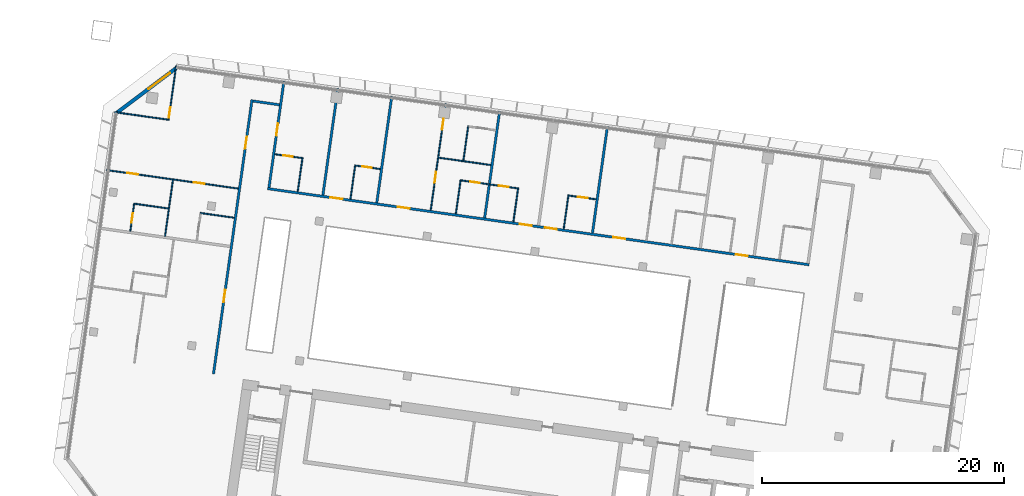
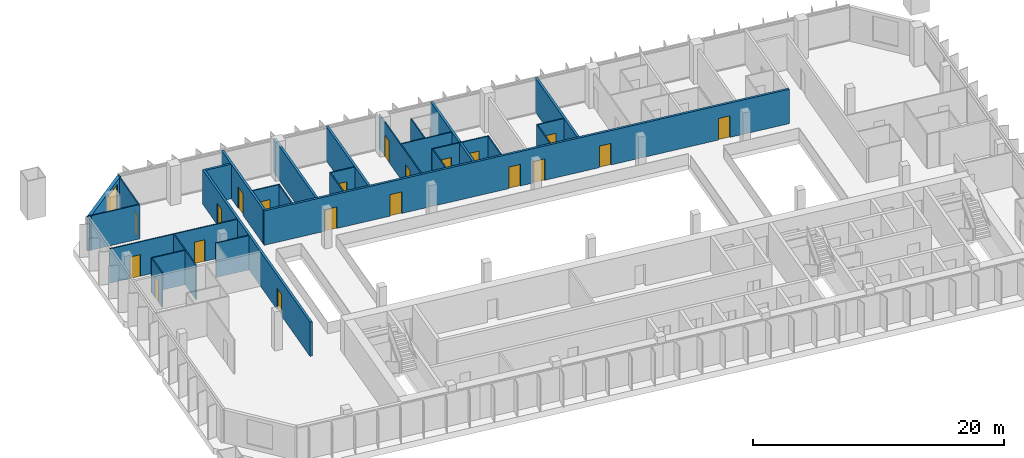
# One storey, part 16 of 26: 28 walls, 20 doors, 1 window, 21 openings.
"""IFC4 building model written with IfcOpenShell, lengths in metres."""

from ifc_helpers import new_model, si_unit, direction, frame, frame_2d, origin, place, context, subcontext, project, spatial, rectangle, extrude, material, layer, layer_set, type_object, element, fill, save


model = new_model("IFC4")

# Units and contexts
model_context = context("Model", 3, precision=1e-05, world=origin(), true_north=direction((0.0, 1.0)))
body_context = subcontext(model_context, "Body", "Model", "MODEL_VIEW")
ifc_project = project(units=[si_unit("LENGTHUNIT", "METRE"), si_unit("AREAUNIT", "SQUARE_METRE"), si_unit("VOLUMEUNIT", "CUBIC_METRE"), si_unit("PLANEANGLEUNIT", "RADIAN"), si_unit("MASSUNIT", "GRAM", prefix="KILO")], contexts=[model_context])

# Site, building, storey
site_placement = place(None, origin())
site = spatial("IfcSite", under=ifc_project, at=site_placement, CompositionType="ELEMENT")
building_placement = place(site_placement, origin())
building = spatial("IfcBuilding", under=site, at=building_placement, Name="Mirante Cascada Hotel Towers", CompositionType="ELEMENT")
storey_placement = place(building_placement, frame((0.0, 0.0, 140.5)))
storey = spatial("IfcBuildingStorey", under=building, at=storey_placement, Name="L32", CompositionType="ELEMENT", Elevation=140.5)

# Wall, openings, doors
ifc_material_1 = material(Name="Fire-rated plasterboard on metal studs")
ifc_layer_1 = layer(ifc_material_1, 0.2)
ifc_layer_set_1 = layer_set([ifc_layer_1], Name="Compartment wall 200 EI 120")
wall_type_1 = type_object("IfcWallType", Name="Compartment wall 200 EI 120", PredefinedType="PARTITIONING", material=ifc_layer_set_1)
wall_1_placement = place(storey_placement, frame((-86.638, 16.0582, 0.0), z_axis=(0.0, 0.0, 1.0), x_axis=(0.9902681, -0.1391726, 0.0)))
wall_1 = element("IfcWall", 1, at=wall_1_placement, inside=storey, type_object=wall_type_1, Name="Wall 1-L32-16", PredefinedType="PARTITIONING", context=body_context, shape_type="SweptSolid", body=[
    extrude(rectangle(XDim=45.2, YDim=0.2, at=frame_2d((22.6, 0.0))), origin(), (0.0, 0.0, 1.0), 3.35),
])
opening_1_placement = place(wall_1_placement, frame((39.0938, 0.0, 0.0)))
opening_1 = element("IfcOpeningElement", 2, at=opening_1_placement, cuts=wall_1, Name="Opening D1-L32-06", PredefinedType="OPENING", context=body_context, shape_type="SweptSolid", body=[
    extrude(rectangle(XDim=1.0, YDim=2.1, at=frame_2d((0.5, 1.05))), frame((0.0, 0.1, 0.0), z_axis=(0.0, -1.0, 0.0), x_axis=(1.0, 0.0, 0.0)), (0.0, 0.0, 1.0), 0.2),
])
opening_2_placement = place(wall_1_placement, frame((28.85, 0.0, 0.0)))
opening_2 = element("IfcOpeningElement", 3, at=opening_2_placement, cuts=wall_1, Name="Opening D1-L32-07", PredefinedType="OPENING", context=body_context, shape_type="SweptSolid", body=[
    extrude(rectangle(XDim=1.0, YDim=2.1, at=frame_2d((0.5, 1.05))), frame((0.0, 0.1, 0.0), z_axis=(0.0, -1.0, 0.0), x_axis=(1.0, 0.0, 0.0)), (0.0, 0.0, 1.0), 0.2),
])
opening_3_placement = place(wall_1_placement, frame((23.15, 0.0, 0.0)))
opening_3 = element("IfcOpeningElement", 4, at=opening_3_placement, cuts=wall_1, Name="Opening D1-L32-08", PredefinedType="OPENING", context=body_context, shape_type="SweptSolid", body=[
    extrude(rectangle(XDim=1.0, YDim=2.1, at=frame_2d((0.5, 1.05))), frame((0.0, 0.1, 0.0), z_axis=(0.0, -1.0, 0.0), x_axis=(1.0, 0.0, 0.0)), (0.0, 0.0, 1.0), 0.2),
])
opening_4_placement = place(wall_1_placement, frame((21.05, 0.0, 0.0)))
opening_4 = element("IfcOpeningElement", 5, at=opening_4_placement, cuts=wall_1, Name="Opening D1-L32-09", PredefinedType="OPENING", context=body_context, shape_type="SweptSolid", body=[
    extrude(rectangle(XDim=1.0, YDim=2.1, at=frame_2d((0.5, 1.05))), frame((0.0, 0.1, 0.0), z_axis=(0.0, -1.0, 0.0), x_axis=(1.0, 0.0, 0.0)), (0.0, 0.0, 1.0), 0.2),
])
opening_5_placement = place(wall_1_placement, frame((10.85, 0.0, 0.0)))
opening_5 = element("IfcOpeningElement", 6, at=opening_5_placement, cuts=wall_1, Name="Opening D1-L32-10", PredefinedType="OPENING", context=body_context, shape_type="SweptSolid", body=[
    extrude(rectangle(XDim=1.0, YDim=2.1, at=frame_2d((0.5, 1.05))), frame((0.0, 0.1, 0.0), z_axis=(0.0, -1.0, 0.0), x_axis=(1.0, 0.0, 0.0)), (0.0, 0.0, 1.0), 0.2),
])
opening_6_placement = place(wall_1_placement, frame((5.25, 0.0, 0.0)))
opening_6 = element("IfcOpeningElement", 7, at=opening_6_placement, cuts=wall_1, Name="Opening D1-L32-11", PredefinedType="OPENING", context=body_context, shape_type="SweptSolid", body=[
    extrude(rectangle(XDim=1.0, YDim=2.1, at=frame_2d((0.5, 1.05))), frame((0.0, 0.1, 0.0), z_axis=(0.0, -1.0, 0.0), x_axis=(1.0, 0.0, 0.0)), (0.0, 0.0, 1.0), 0.2),
])
ifc_material_2 = material(Name="Fire-rated timber door leaf", Category="wood")
door_type_1 = type_object("IfcDoorType", Name="Entrance door DG1 1000x2100 EI 60", OperationType="SINGLE_SWING_LEFT", PredefinedType="DOOR", material=ifc_material_2)
door_1_placement = place(opening_1_placement, origin())
door_1 = element("IfcDoor", 8, at=door_1_placement, inside=storey, type_object=door_type_1, Name="Door D1-L32-06", OperationType="SINGLE_SWING_LEFT", OverallHeight=2.1, OverallWidth=1.0, PredefinedType="DOOR", context=body_context, shape_type="SweptSolid", body=[
    extrude(rectangle(XDim=1.0, YDim=2.1, at=frame_2d((0.5, 1.05))), frame((0.0, 0.025, 0.0), z_axis=(0.0, -1.0, 0.0), x_axis=(1.0, 0.0, 0.0)), (0.0, 0.0, 1.0), 0.05),
])
fill(opening_1, door_1)
door_2_placement = place(opening_2_placement, origin())
door_2 = element("IfcDoor", 9, at=door_2_placement, inside=storey, type_object=door_type_1, Name="Door D1-L32-07", OperationType="SINGLE_SWING_LEFT", OverallHeight=2.1, OverallWidth=1.0, PredefinedType="DOOR", context=body_context, shape_type="SweptSolid", body=[
    extrude(rectangle(XDim=1.0, YDim=2.1, at=frame_2d((0.5, 1.05))), frame((0.0, 0.025, 0.0), z_axis=(0.0, -1.0, 0.0), x_axis=(1.0, 0.0, 0.0)), (0.0, 0.0, 1.0), 0.05),
])
fill(opening_2, door_2)
door_3_placement = place(opening_3_placement, origin())
door_3 = element("IfcDoor", 10, at=door_3_placement, inside=storey, type_object=door_type_1, Name="Door D1-L32-08", OperationType="SINGLE_SWING_LEFT", OverallHeight=2.1, OverallWidth=1.0, PredefinedType="DOOR", context=body_context, shape_type="SweptSolid", body=[
    extrude(rectangle(XDim=1.0, YDim=2.1, at=frame_2d((0.5, 1.05))), frame((0.0, 0.025, 0.0), z_axis=(0.0, -1.0, 0.0), x_axis=(1.0, 0.0, 0.0)), (0.0, 0.0, 1.0), 0.05),
])
fill(opening_3, door_3)
door_4_placement = place(opening_4_placement, origin())
door_4 = element("IfcDoor", 11, at=door_4_placement, inside=storey, type_object=door_type_1, Name="Door D1-L32-09", OperationType="SINGLE_SWING_LEFT", OverallHeight=2.1, OverallWidth=1.0, PredefinedType="DOOR", context=body_context, shape_type="SweptSolid", body=[
    extrude(rectangle(XDim=1.0, YDim=2.1, at=frame_2d((0.5, 1.05))), frame((0.0, 0.025, 0.0), z_axis=(0.0, -1.0, 0.0), x_axis=(1.0, 0.0, 0.0)), (0.0, 0.0, 1.0), 0.05),
])
fill(opening_4, door_4)
door_5_placement = place(opening_5_placement, origin())
door_5 = element("IfcDoor", 12, at=door_5_placement, inside=storey, type_object=door_type_1, Name="Door D1-L32-10", OperationType="SINGLE_SWING_LEFT", OverallHeight=2.1, OverallWidth=1.0, PredefinedType="DOOR", context=body_context, shape_type="SweptSolid", body=[
    extrude(rectangle(XDim=1.0, YDim=2.1, at=frame_2d((0.5, 1.05))), frame((0.0, 0.025, 0.0), z_axis=(0.0, -1.0, 0.0), x_axis=(1.0, 0.0, 0.0)), (0.0, 0.0, 1.0), 0.05),
])
fill(opening_5, door_5)
door_6_placement = place(opening_6_placement, origin())
door_6 = element("IfcDoor", 13, at=door_6_placement, inside=storey, type_object=door_type_1, Name="Door D1-L32-11", OperationType="SINGLE_SWING_LEFT", OverallHeight=2.1, OverallWidth=1.0, PredefinedType="DOOR", context=body_context, shape_type="SweptSolid", body=[
    extrude(rectangle(XDim=1.0, YDim=2.1, at=frame_2d((0.5, 1.05))), frame((0.0, 0.025, 0.0), z_axis=(0.0, -1.0, 0.0), x_axis=(1.0, 0.0, 0.0)), (0.0, 0.0, 1.0), 0.05),
])
fill(opening_6, door_6)

# Walls
wall_2_placement = place(storey_placement, frame((-85.6638, 22.9901, 0.0), z_axis=(0.0, 0.0, 1.0), x_axis=(-0.990267, 0.139181, 0.0)))
element("IfcWall", 14, at=wall_2_placement, inside=storey, type_object=wall_type_1, Name="Wall 1-L32-27", PredefinedType="PARTITIONING", context=body_context, shape_type="SweptSolid", body=[
    extrude(rectangle(XDim=2.2, YDim=0.2, at=frame_2d((1.1, 0.0))), origin(), (0.0, 0.0, 1.0), 3.35),
])
wall_3_placement = place(storey_placement, frame((-58.5492, 21.199, 0.0), z_axis=(0.0, 0.0, 1.0), x_axis=(-0.13917, -0.9902685, 0.0)))
element("IfcWall", 15, at=wall_3_placement, inside=storey, type_object=wall_type_1, Name="Wall 1-L32-44", PredefinedType="PARTITIONING", context=body_context, shape_type="SweptSolid", body=[
    extrude(rectangle(XDim=8.8999, YDim=0.2, at=frame_2d((4.45, 0.0))), origin(), (0.0, 0.0, 1.0), 3.35),
])
for number, where, z_axis, x_axis, name in (
    (16, (-67.4616, 22.4516, 0.0), (0.0, 0.0, 1.0), (-0.1391684, -0.9902687, 0.0), "Wall 1-L32-48"),
    (17, (-76.374, 23.7042, 0.0), (0.0, 0.0, 1.0), (-0.1391684, -0.9902687, 0.0), "Wall 1-L32-52"),
):
    element("IfcWall", number, at=place(storey_placement, frame(where, z_axis=z_axis, x_axis=x_axis)), inside=storey, type_object=wall_type_1, Name=name, PredefinedType="PARTITIONING", context=body_context, shape_type="SweptSolid", body=[
        extrude(rectangle(XDim=8.9, YDim=0.2, at=frame_2d((4.45, 0.0))), origin(), (0.0, 0.0, 1.0), 3.35),
    ])
wall_4_placement = place(storey_placement, frame((-80.8302, 24.3304, 0.0), z_axis=(0.0, 0.0, 1.0), x_axis=(-0.13917, -0.9902685, 0.0)))
element("IfcWall", 18, at=wall_4_placement, inside=storey, type_object=wall_type_1, Name="Wall 1-L32-54", PredefinedType="PARTITIONING", context=body_context, shape_type="SweptSolid", body=[
    extrude(rectangle(XDim=8.8999, YDim=0.2, at=frame_2d((4.45, 0.0))), origin(), (0.0, 0.0, 1.0), 3.35),
])

# Wall, opening, door
wall_5_placement = place(storey_placement, frame((-85.2864, 24.9567, 0.0), z_axis=(0.0, 0.0, 1.0), x_axis=(-0.1391684, -0.9902687, 0.0)))
wall_5 = element("IfcWall", 19, at=wall_5_placement, inside=storey, type_object=wall_type_1, Name="Wall 1-L32-56", PredefinedType="PARTITIONING", context=body_context, shape_type="SweptSolid", body=[
    extrude(rectangle(XDim=8.9, YDim=0.2, at=frame_2d((4.45, 0.0))), origin(), (0.0, 0.0, 1.0), 3.35),
])
opening_7_placement = place(wall_5_placement, frame((3.55, 0.0, 0.0)))
opening_7 = element("IfcOpeningElement", 20, at=opening_7_placement, cuts=wall_5, Name="Opening D1-L32-32", PredefinedType="OPENING", context=body_context, shape_type="SweptSolid", body=[
    extrude(rectangle(XDim=1.0, YDim=2.1, at=frame_2d((0.5, 1.05))), frame((0.0, 0.1, 0.0), z_axis=(0.0, -1.0, 0.0), x_axis=(1.0, 0.0, 0.0)), (0.0, 0.0, 1.0), 0.2),
])
door_7_placement = place(opening_7_placement, origin())
door_7 = element("IfcDoor", 21, at=door_7_placement, inside=storey, type_object=door_type_1, Name="Door D1-L32-32", OperationType="SINGLE_SWING_LEFT", OverallHeight=2.1, OverallWidth=1.0, PredefinedType="DOOR", context=body_context, shape_type="SweptSolid", body=[
    extrude(rectangle(XDim=1.0, YDim=2.1, at=frame_2d((0.5, 1.05))), frame((0.0, 0.025, 0.0), z_axis=(0.0, -1.0, 0.0), x_axis=(1.0, 0.0, 0.0)), (0.0, 0.0, 1.0), 0.05),
])
fill(opening_7, door_7)

# Wall, openings, doors
wall_6_placement = place(storey_placement, frame((-91.1145, 0.7321, 0.0), z_axis=(0.0, 0.0, 1.0), x_axis=(0.1391706, 0.9902684, 0.0)))
wall_6 = element("IfcWall", 22, at=wall_6_placement, inside=storey, type_object=wall_type_1, Name="Wall 1-L32-57", PredefinedType="PARTITIONING", context=body_context, shape_type="SweptSolid", body=[
    extrude(rectangle(XDim=22.9, YDim=0.2, at=frame_2d((11.45, 0.0))), origin(), (0.0, 0.0, 1.0), 3.35),
])
opening_8_placement = place(wall_6_placement, frame((6.0167, 0.0, 0.0)))
opening_8 = element("IfcOpeningElement", 23, at=opening_8_placement, cuts=wall_6, Name="Opening D1-L32-33", PredefinedType="OPENING", context=body_context, shape_type="SweptSolid", body=[
    extrude(rectangle(XDim=1.0, YDim=2.1, at=frame_2d((0.5, 1.05))), frame((0.0, 0.1, 0.0), z_axis=(0.0, -1.0, 0.0), x_axis=(1.0, 0.0, 0.0)), (0.0, 0.0, 1.0), 0.2),
])
opening_9_placement = place(wall_6_placement, frame((18.8, 0.0, 0.0)))
opening_9 = element("IfcOpeningElement", 24, at=opening_9_placement, cuts=wall_6, Name="Opening D1-L32-34", PredefinedType="OPENING", context=body_context, shape_type="SweptSolid", body=[
    extrude(rectangle(XDim=1.0, YDim=2.1, at=frame_2d((0.5, 1.05))), frame((0.0, 0.1, 0.0), z_axis=(0.0, -1.0, 0.0), x_axis=(1.0, 0.0, 0.0)), (0.0, 0.0, 1.0), 0.2),
])
door_8_placement = place(opening_8_placement, origin())
door_8 = element("IfcDoor", 25, at=door_8_placement, inside=storey, type_object=door_type_1, Name="Door D1-L32-33", OperationType="SINGLE_SWING_LEFT", OverallHeight=2.1, OverallWidth=1.0, PredefinedType="DOOR", context=body_context, shape_type="SweptSolid", body=[
    extrude(rectangle(XDim=1.0, YDim=2.1, at=frame_2d((0.5, 1.05))), frame((0.0, 0.025, 0.0), z_axis=(0.0, -1.0, 0.0), x_axis=(1.0, 0.0, 0.0)), (0.0, 0.0, 1.0), 0.05),
])
fill(opening_8, door_8)
door_9_placement = place(opening_9_placement, origin())
door_9 = element("IfcDoor", 26, at=door_9_placement, inside=storey, type_object=door_type_1, Name="Door D1-L32-34", OperationType="SINGLE_SWING_LEFT", OverallHeight=2.1, OverallWidth=1.0, PredefinedType="DOOR", context=body_context, shape_type="SweptSolid", body=[
    extrude(rectangle(XDim=1.0, YDim=2.1, at=frame_2d((0.5, 1.05))), frame((0.0, 0.025, 0.0), z_axis=(0.0, -1.0, 0.0), x_axis=(1.0, 0.0, 0.0)), (0.0, 0.0, 1.0), 0.05),
])
fill(opening_9, door_9)

# Walls
ifc_material_3 = material(Name="Plasterboard on metal studs")
ifc_layer_2 = layer(ifc_material_3, 0.1)
ifc_layer_set_2 = layer_set([ifc_layer_2], Name="Partition 100")
wall_type_2 = type_object("IfcWallType", Name="Partition 100", PredefinedType="PARTITIONING", material=ifc_layer_set_2)
wall_7_placement = place(storey_placement, frame((-89.3997, 13.6525, 0.0), z_axis=(0.0, 0.0, 1.0), x_axis=(-0.9902697, 0.1391613, 0.0)))
element("IfcWall", 27, at=wall_7_placement, inside=storey, type_object=wall_type_2, Name="Wall 1-L32-13", PredefinedType="PARTITIONING", context=body_context, shape_type="SweptSolid", body=[
    extrude(rectangle(XDim=2.8499, YDim=0.1, at=frame_2d((1.425, 0.0))), origin(), (0.0, 0.0, 1.0), 3.35),
])
wall_8_placement = place(storey_placement, frame((-97.7179, 14.8215, 0.0), z_axis=(0.0, 0.0, 1.0), x_axis=(0.9902683, -0.1391714, 0.0)))
element("IfcWall", 28, at=wall_8_placement, inside=storey, type_object=wall_type_2, Name="Wall 1-L32-14", PredefinedType="PARTITIONING", context=body_context, shape_type="SweptSolid", body=[
    extrude(rectangle(XDim=2.9, YDim=0.1, at=frame_2d((1.45, 0.0))), origin(), (0.0, 0.0, 1.0), 3.35),
])

# Wall, openings, doors
wall_9_placement = place(storey_placement, frame((-89.061, 16.0622, 0.0), z_axis=(0.0, 0.0, 1.0), x_axis=(-0.9902682, 0.1391721, 0.0)))
wall_9 = element("IfcWall", 29, at=wall_9_placement, inside=storey, type_object=wall_type_2, Name="Wall 1-L32-15", PredefinedType="PARTITIONING", context=body_context, shape_type="SweptSolid", body=[
    extrude(rectangle(XDim=11.0001, YDim=0.1, at=frame_2d((5.5, 0.0))), origin(), (0.0, 0.0, 1.0), 3.35),
])
opening_10_placement = place(wall_9_placement, frame((2.825, 0.0, 0.0)))
opening_10 = element("IfcOpeningElement", 30, at=opening_10_placement, cuts=wall_9, Name="Opening D1-L32-04", PredefinedType="OPENING", context=body_context, shape_type="SweptSolid", body=[
    extrude(rectangle(XDim=0.9, YDim=2.1, at=frame_2d((0.45, 1.05))), frame((0.0, 0.05, 0.0), z_axis=(0.0, -1.0, 0.0), x_axis=(1.0, 0.0, 0.0)), (0.0, 0.0, 1.0), 0.1),
])
opening_11_placement = place(wall_9_placement, frame((8.375, 0.0, 0.0)))
opening_11 = element("IfcOpeningElement", 31, at=opening_11_placement, cuts=wall_9, Name="Opening D1-L32-05", PredefinedType="OPENING", context=body_context, shape_type="SweptSolid", body=[
    extrude(rectangle(XDim=0.9, YDim=2.1, at=frame_2d((0.45, 1.05))), frame((0.0, 0.05, 0.0), z_axis=(0.0, -1.0, 0.0), x_axis=(1.0, 0.0, 0.0)), (0.0, 0.0, 1.0), 0.1),
])
ifc_material_4 = material(Name="Timber door leaf", Category="wood")
door_type_2 = type_object("IfcDoorType", Name="Room door DG3 900x2100", OperationType="SINGLE_SWING_LEFT", PredefinedType="DOOR", material=ifc_material_4)
door_10_placement = place(opening_10_placement, frame((0.9, 0.0, 0.0), z_axis=(0.0, 0.0, 1.0), x_axis=(-1.0, 0.0, 0.0)))
door_10 = element("IfcDoor", 32, at=door_10_placement, inside=storey, type_object=door_type_2, Name="Door D1-L32-04", OperationType="SINGLE_SWING_RIGHT", OverallHeight=2.1, OverallWidth=0.9, PredefinedType="DOOR", context=body_context, shape_type="SweptSolid", body=[
    extrude(rectangle(XDim=0.9, YDim=2.1, at=frame_2d((0.45, 1.05))), frame((0.0, 0.025, 0.0), z_axis=(0.0, -1.0, 0.0), x_axis=(1.0, 0.0, 0.0)), (0.0, 0.0, 1.0), 0.05),
])
fill(opening_10, door_10)
door_11_placement = place(opening_11_placement, frame((0.9, 0.0, 0.0), z_axis=(0.0, 0.0, 1.0), x_axis=(-1.0, 0.0, 0.0)))
door_11 = element("IfcDoor", 33, at=door_11_placement, inside=storey, type_object=door_type_2, Name="Door D1-L32-05", OperationType="SINGLE_SWING_RIGHT", OverallHeight=2.1, OverallWidth=0.9, PredefinedType="DOOR", context=body_context, shape_type="SweptSolid", body=[
    extrude(rectangle(XDim=0.9, YDim=2.1, at=frame_2d((0.45, 1.05))), frame((0.0, 0.025, 0.0), z_axis=(0.0, -1.0, 0.0), x_axis=(1.0, 0.0, 0.0)), (0.0, 0.0, 1.0), 0.05),
])
fill(opening_11, door_11)

# Wall, opening, door
wall_10_placement = place(storey_placement, frame((-59.4971, 15.1723, 0.0), z_axis=(0.0, 0.0, 1.0), x_axis=(-0.9902643, 0.1391997, 0.0)))
wall_10 = element("IfcWall", 34, at=wall_10_placement, inside=storey, type_object=wall_type_2, Name="Wall 1-L32-19", PredefinedType="PARTITIONING", context=body_context, shape_type="SweptSolid", body=[
    extrude(rectangle(XDim=2.25, YDim=0.1, at=frame_2d((1.125, 0.0))), origin(), (0.0, 0.0, 1.0), 3.35),
])
opening_12_placement = place(wall_10_placement, frame((0.7, 0.0, 0.0)))
opening_12 = element("IfcOpeningElement", 35, at=opening_12_placement, cuts=wall_10, Name="Opening D1-L32-15", PredefinedType="OPENING", context=body_context, shape_type="SweptSolid", body=[
    extrude(rectangle(XDim=0.8, YDim=2.1, at=frame_2d((0.4, 1.05))), frame((0.0, 0.05, 0.0), z_axis=(0.0, -1.0, 0.0), x_axis=(1.0, 0.0, 0.0)), (0.0, 0.0, 1.0), 0.1),
])
ifc_material_5 = material(Name="Timber door leaf", Category="wood")
door_type_3 = type_object("IfcDoorType", Name="Bathroom door DG4 800x2100", OperationType="SINGLE_SWING_LEFT", PredefinedType="DOOR", material=ifc_material_5)
door_12_placement = place(opening_12_placement, frame((0.8, 0.0, 0.0), z_axis=(0.0, 0.0, 1.0), x_axis=(-1.0, 0.0, 0.0)))
door_12 = element("IfcDoor", 36, at=door_12_placement, inside=storey, type_object=door_type_3, Name="Door D1-L32-15", OperationType="SINGLE_SWING_RIGHT", OverallHeight=2.1, OverallWidth=0.8, PredefinedType="DOOR", context=body_context, shape_type="SweptSolid", body=[
    extrude(rectangle(XDim=0.8, YDim=2.1, at=frame_2d((0.4, 1.05))), frame((0.0, 0.025, 0.0), z_axis=(0.0, -1.0, 0.0), x_axis=(1.0, 0.0, 0.0)), (0.0, 0.0, 1.0), 0.05),
])
fill(opening_12, door_12)

# Wall, openings, doors
wall_11_placement = place(storey_placement, frame((-70.7367, 16.7519, 0.0), z_axis=(0.0, 0.0, 1.0), x_axis=(0.9902694, -0.1391638, 0.0)))
wall_11 = element("IfcWall", 37, at=wall_11_placement, inside=storey, type_object=wall_type_2, Name="Wall 1-L32-20", PredefinedType="PARTITIONING", context=body_context, shape_type="SweptSolid", body=[
    extrude(rectangle(XDim=4.9, YDim=0.1, at=frame_2d((2.45, 0.0))), origin(), (0.0, 0.0, 1.0), 3.35),
])
opening_13_placement = place(wall_11_placement, frame((3.25, 0.0, 0.0)))
opening_13 = element("IfcOpeningElement", 38, at=opening_13_placement, cuts=wall_11, Name="Opening D1-L32-16", PredefinedType="OPENING", context=body_context, shape_type="SweptSolid", body=[
    extrude(rectangle(XDim=0.8, YDim=2.1, at=frame_2d((0.4, 1.05))), frame((0.0, 0.05, 0.0), z_axis=(0.0, -1.0, 0.0), x_axis=(1.0, 0.0, 0.0)), (0.0, 0.0, 1.0), 0.1),
])
opening_14_placement = place(wall_11_placement, frame((0.85, 0.0, 0.0)))
opening_14 = element("IfcOpeningElement", 39, at=opening_14_placement, cuts=wall_11, Name="Opening D1-L32-17", PredefinedType="OPENING", context=body_context, shape_type="SweptSolid", body=[
    extrude(rectangle(XDim=0.8, YDim=2.1, at=frame_2d((0.4, 1.05))), frame((0.0, 0.05, 0.0), z_axis=(0.0, -1.0, 0.0), x_axis=(1.0, 0.0, 0.0)), (0.0, 0.0, 1.0), 0.1),
])
door_13_placement = place(opening_13_placement, origin())
door_13 = element("IfcDoor", 40, at=door_13_placement, inside=storey, type_object=door_type_3, Name="Door D1-L32-16", OperationType="SINGLE_SWING_LEFT", OverallHeight=2.1, OverallWidth=0.8, PredefinedType="DOOR", context=body_context, shape_type="SweptSolid", body=[
    extrude(rectangle(XDim=0.8, YDim=2.1, at=frame_2d((0.4, 1.05))), frame((0.0, 0.025, 0.0), z_axis=(0.0, -1.0, 0.0), x_axis=(1.0, 0.0, 0.0)), (0.0, 0.0, 1.0), 0.05),
])
fill(opening_13, door_13)
door_14_placement = place(opening_14_placement, frame((0.8, 0.0, 0.0), z_axis=(0.0, 0.0, 1.0), x_axis=(-1.0, 0.0, 0.0)))
door_14 = element("IfcDoor", 41, at=door_14_placement, inside=storey, type_object=door_type_3, Name="Door D1-L32-17", OperationType="SINGLE_SWING_RIGHT", OverallHeight=2.1, OverallWidth=0.8, PredefinedType="DOOR", context=body_context, shape_type="SweptSolid", body=[
    extrude(rectangle(XDim=0.8, YDim=2.1, at=frame_2d((0.4, 1.05))), frame((0.0, 0.025, 0.0), z_axis=(0.0, -1.0, 0.0), x_axis=(1.0, 0.0, 0.0)), (0.0, 0.0, 1.0), 0.05),
])
fill(opening_14, door_14)

# Wall, opening, door
wall_12_placement = place(storey_placement, frame((-77.322, 17.6774, 0.0), z_axis=(0.0, 0.0, 1.0), x_axis=(-0.9902679, 0.1391741, 0.0)))
wall_12 = element("IfcWall", 42, at=wall_12_placement, inside=storey, type_object=wall_type_2, Name="Wall 1-L32-21", PredefinedType="PARTITIONING", context=body_context, shape_type="SweptSolid", body=[
    extrude(rectangle(XDim=2.05, YDim=0.1, at=frame_2d((1.025, 0.0))), origin(), (0.0, 0.0, 1.0), 3.35),
])
opening_15_placement = place(wall_12_placement, frame((0.7, 0.0, 0.0)))
opening_15 = element("IfcOpeningElement", 43, at=opening_15_placement, cuts=wall_12, Name="Opening D1-L32-18", PredefinedType="OPENING", context=body_context, shape_type="SweptSolid", body=[
    extrude(rectangle(XDim=0.8, YDim=2.1, at=frame_2d((0.4, 1.05))), frame((0.0, 0.05, 0.0), z_axis=(0.0, -1.0, 0.0), x_axis=(1.0, 0.0, 0.0)), (0.0, 0.0, 1.0), 0.1),
])
door_15_placement = place(opening_15_placement, frame((0.8, 0.0, 0.0), z_axis=(0.0, 0.0, 1.0), x_axis=(-1.0, 0.0, 0.0)))
door_15 = element("IfcDoor", 44, at=door_15_placement, inside=storey, type_object=door_type_3, Name="Door D1-L32-18", OperationType="SINGLE_SWING_RIGHT", OverallHeight=2.1, OverallWidth=0.8, PredefinedType="DOOR", context=body_context, shape_type="SweptSolid", body=[
    extrude(rectangle(XDim=0.8, YDim=2.1, at=frame_2d((0.4, 1.05))), frame((0.0, 0.025, 0.0), z_axis=(0.0, -1.0, 0.0), x_axis=(1.0, 0.0, 0.0)), (0.0, 0.0, 1.0), 0.05),
])
fill(opening_15, door_15)

wall_13_placement = place(storey_placement, frame((-86.0363, 18.9022, 0.0), z_axis=(0.0, 0.0, 1.0), x_axis=(0.9902643, -0.1391997, 0.0)))
wall_13 = element("IfcWall", 45, at=wall_13_placement, inside=storey, type_object=wall_type_2, Name="Wall 1-L32-22", PredefinedType="PARTITIONING", context=body_context, shape_type="SweptSolid", body=[
    extrude(rectangle(XDim=2.25, YDim=0.1, at=frame_2d((1.125, 0.0))), origin(), (0.0, 0.0, 1.0), 3.35),
])
opening_16_placement = place(wall_13_placement, frame((0.7, 0.0, 0.0)))
opening_16 = element("IfcOpeningElement", 46, at=opening_16_placement, cuts=wall_13, Name="Opening D1-L32-19", PredefinedType="OPENING", context=body_context, shape_type="SweptSolid", body=[
    extrude(rectangle(XDim=0.8, YDim=2.1, at=frame_2d((0.4, 1.05))), frame((0.0, 0.05, 0.0), z_axis=(0.0, -1.0, 0.0), x_axis=(1.0, 0.0, 0.0)), (0.0, 0.0, 1.0), 0.1),
])
door_16_placement = place(opening_16_placement, origin())
door_16 = element("IfcDoor", 47, at=door_16_placement, inside=storey, type_object=door_type_3, Name="Door D1-L32-19", OperationType="SINGLE_SWING_LEFT", OverallHeight=2.1, OverallWidth=0.8, PredefinedType="DOOR", context=body_context, shape_type="SweptSolid", body=[
    extrude(rectangle(XDim=0.8, YDim=2.1, at=frame_2d((0.4, 1.05))), frame((0.0, 0.025, 0.0), z_axis=(0.0, -1.0, 0.0), x_axis=(1.0, 0.0, 0.0)), (0.0, 0.0, 1.0), 0.05),
])
fill(opening_16, door_16)

# Walls
wall_14_placement = place(storey_placement, frame((-72.4945, 18.6147, 0.0), z_axis=(0.0, 0.0, 1.0), x_axis=(0.9902679, -0.1391745, 0.0)))
element("IfcWall", 48, at=wall_14_placement, inside=storey, type_object=wall_type_2, Name="Wall 1-L32-24", PredefinedType="PARTITIONING", context=body_context, shape_type="SweptSolid", body=[
    extrude(rectangle(XDim=4.3499, YDim=0.1, at=frame_2d((2.175, 0.0))), origin(), (0.0, 0.0, 1.0), 3.35),
])
wall_15_placement = place(storey_placement, frame((-94.7756, 21.7461, 0.0), z_axis=(0.0, 0.0, 1.0), x_axis=(-0.9902661, 0.1391871, 0.0)))
element("IfcWall", 49, at=wall_15_placement, inside=storey, type_object=wall_type_2, Name="Wall 1-L32-25", PredefinedType="PARTITIONING", context=body_context, shape_type="SweptSolid", body=[
    extrude(rectangle(XDim=4.55, YDim=0.1, at=frame_2d((2.275, 0.0))), origin(), (0.0, 0.0, 1.0), 3.35),
])
wall_16_placement = place(storey_placement, frame((-62.1644, 12.7197, 0.0), z_axis=(0.0, 0.0, 1.0), x_axis=(0.1391613, 0.9902697, 0.0)))
element("IfcWall", 50, at=wall_16_placement, inside=storey, type_object=wall_type_2, Name="Wall 1-L32-45", PredefinedType="PARTITIONING", context=body_context, shape_type="SweptSolid", body=[
    extrude(rectangle(XDim=2.8499, YDim=0.1, at=frame_2d((1.425, 0.0))), origin(), (0.0, 0.0, 1.0), 3.35),
])
wall_17_placement = place(storey_placement, frame((-66.3236, 13.3042, 0.0), z_axis=(0.0, 0.0, 1.0), x_axis=(0.1392013, 0.9902641, 0.0)))
element("IfcWall", 51, at=wall_17_placement, inside=storey, type_object=wall_type_2, Name="Wall 1-L32-47", PredefinedType="PARTITIONING", context=body_context, shape_type="SweptSolid", body=[
    extrude(rectangle(XDim=2.75, YDim=0.1, at=frame_2d((1.375, 0.0))), origin(), (0.0, 0.0, 1.0), 3.35),
])
wall_18_placement = place(storey_placement, frame((-71.0769, 13.9722, 0.0), z_axis=(0.0, 0.0, 1.0), x_axis=(0.1391963, 0.9902648, 0.0)))
element("IfcWall", 52, at=wall_18_placement, inside=storey, type_object=wall_type_2, Name="Wall 1-L32-49", PredefinedType="PARTITIONING", context=body_context, shape_type="SweptSolid", body=[
    extrude(rectangle(XDim=2.7501, YDim=0.1, at=frame_2d((1.3751, 0.0))), origin(), (0.0, 0.0, 1.0), 3.35),
])
wall_19_placement = place(storey_placement, frame((-70.0539, 21.2507, 0.0), z_axis=(0.0, 0.0, 1.0), x_axis=(-0.1391714, -0.9902683, 0.0)))
element("IfcWall", 53, at=wall_19_placement, inside=storey, type_object=wall_type_2, Name="Wall 1-L32-50", PredefinedType="PARTITIONING", context=body_context, shape_type="SweptSolid", body=[
    extrude(rectangle(XDim=2.9, YDim=0.1, at=frame_2d((1.45, 0.0))), origin(), (0.0, 0.0, 1.0), 3.35),
])

# Wall, openings, doors
wall_20_placement = place(storey_placement, frame((-73.1564, 14.2645, 0.0), z_axis=(0.0, 0.0, 1.0), x_axis=(0.1391684, 0.9902687, 0.0)))
wall_20 = element("IfcWall", 54, at=wall_20_placement, inside=storey, type_object=wall_type_2, Name="Wall 1-L32-51", PredefinedType="PARTITIONING", context=body_context, shape_type="SweptSolid", body=[
    extrude(rectangle(XDim=8.9, YDim=0.1, at=frame_2d((4.45, 0.0))), origin(), (0.0, 0.0, 1.0), 3.35),
])
opening_17_placement = place(wall_20_placement, frame((2.3, 0.0, 0.0)))
opening_17 = element("IfcOpeningElement", 55, at=opening_17_placement, cuts=wall_20, Name="Opening D1-L32-30", PredefinedType="OPENING", context=body_context, shape_type="SweptSolid", body=[
    extrude(rectangle(XDim=0.9, YDim=2.1, at=frame_2d((0.45, 1.05))), frame((0.0, 0.05, 0.0), z_axis=(0.0, -1.0, 0.0), x_axis=(1.0, 0.0, 0.0)), (0.0, 0.0, 1.0), 0.1),
])
opening_18_placement = place(wall_20_placement, frame((6.75, 0.0, 0.0)))
opening_18 = element("IfcOpeningElement", 56, at=opening_18_placement, cuts=wall_20, Name="Opening D1-L32-31", PredefinedType="OPENING", context=body_context, shape_type="SweptSolid", body=[
    extrude(rectangle(XDim=0.9, YDim=2.1, at=frame_2d((0.45, 1.05))), frame((0.0, 0.05, 0.0), z_axis=(0.0, -1.0, 0.0), x_axis=(1.0, 0.0, 0.0)), (0.0, 0.0, 1.0), 0.1),
])
door_17_placement = place(opening_17_placement, origin())
door_17 = element("IfcDoor", 57, at=door_17_placement, inside=storey, type_object=door_type_2, Name="Door D1-L32-30", OperationType="SINGLE_SWING_LEFT", OverallHeight=2.1, OverallWidth=0.9, PredefinedType="DOOR", context=body_context, shape_type="SweptSolid", body=[
    extrude(rectangle(XDim=0.9, YDim=2.1, at=frame_2d((0.45, 1.05))), frame((0.0, 0.025, 0.0), z_axis=(0.0, -1.0, 0.0), x_axis=(1.0, 0.0, 0.0)), (0.0, 0.0, 1.0), 0.05),
])
fill(opening_17, door_17)
door_18_placement = place(opening_18_placement, origin())
door_18 = element("IfcDoor", 58, at=door_18_placement, inside=storey, type_object=door_type_2, Name="Door D1-L32-31", OperationType="SINGLE_SWING_LEFT", OverallHeight=2.1, OverallWidth=0.9, PredefinedType="DOOR", context=body_context, shape_type="SweptSolid", body=[
    extrude(rectangle(XDim=0.9, YDim=2.1, at=frame_2d((0.45, 1.05))), frame((0.0, 0.025, 0.0), z_axis=(0.0, -1.0, 0.0), x_axis=(1.0, 0.0, 0.0)), (0.0, 0.0, 1.0), 0.05),
])
fill(opening_18, door_18)

# Walls
wall_21_placement = place(storey_placement, frame((-79.7912, 15.197, 0.0), z_axis=(0.0, 0.0, 1.0), x_axis=(0.1391613, 0.9902697, 0.0)))
element("IfcWall", 59, at=wall_21_placement, inside=storey, type_object=wall_type_2, Name="Wall 1-L32-53", PredefinedType="PARTITIONING", context=body_context, shape_type="SweptSolid", body=[
    extrude(rectangle(XDim=2.8499, YDim=0.1, at=frame_2d((1.425, 0.0))), origin(), (0.0, 0.0, 1.0), 3.35),
])
wall_22_placement = place(storey_placement, frame((-84.1484, 15.8093, 0.0), z_axis=(0.0, 0.0, 1.0), x_axis=(0.1391909, 0.9902656, 0.0)))
element("IfcWall", 60, at=wall_22_placement, inside=storey, type_object=wall_type_2, Name="Wall 1-L32-55", PredefinedType="PARTITIONING", context=body_context, shape_type="SweptSolid", body=[
    extrude(rectangle(XDim=2.85, YDim=0.1, at=frame_2d((1.425, 0.0))), origin(), (0.0, 0.0, 1.0), 3.35),
])
wall_23_placement = place(storey_placement, frame((-94.4649, 16.7712, 0.0), z_axis=(0.0, 0.0, 1.0), x_axis=(-0.1391701, -0.9902685, 0.0)))
element("IfcWall", 61, at=wall_23_placement, inside=storey, type_object=wall_type_2, Name="Wall 1-L32-60", PredefinedType="PARTITIONING", context=body_context, shape_type="SweptSolid", body=[
    extrude(rectangle(XDim=4.6835, YDim=0.1, at=frame_2d((2.3418, 0.0))), origin(), (0.0, 0.0, 1.0), 3.35),
])

# Wall, opening, door
wall_24_placement = place(storey_placement, frame((-94.1988, 26.2093, 0.0), z_axis=(0.0, 0.0, 1.0), x_axis=(-0.1391684, -0.9902687, 0.0)))
wall_24 = element("IfcWall", 62, at=wall_24_placement, inside=storey, type_object=wall_type_2, Name="Wall 1-L32-62", PredefinedType="PARTITIONING", context=body_context, shape_type="SweptSolid", body=[
    extrude(rectangle(XDim=4.45, YDim=0.1, at=frame_2d((2.225, 0.0))), origin(), (0.0, 0.0, 1.0), 3.35),
])
opening_19_placement = place(wall_24_placement, frame((3.45, 0.0, 0.0)))
opening_19 = element("IfcOpeningElement", 63, at=opening_19_placement, cuts=wall_24, Name="Opening D1-L32-38", PredefinedType="OPENING", context=body_context, shape_type="SweptSolid", body=[
    extrude(rectangle(XDim=0.9, YDim=2.1, at=frame_2d((0.45, 1.05))), frame((0.0, 0.05, 0.0), z_axis=(0.0, -1.0, 0.0), x_axis=(1.0, 0.0, 0.0)), (0.0, 0.0, 1.0), 0.1),
])
door_19_placement = place(opening_19_placement, origin())
door_19 = element("IfcDoor", 64, at=door_19_placement, inside=storey, type_object=door_type_2, Name="Door D1-L32-38", OperationType="SINGLE_SWING_LEFT", OverallHeight=2.1, OverallWidth=0.9, PredefinedType="DOOR", context=body_context, shape_type="SweptSolid", body=[
    extrude(rectangle(XDim=0.9, YDim=2.1, at=frame_2d((0.45, 1.05))), frame((0.0, 0.025, 0.0), z_axis=(0.0, -1.0, 0.0), x_axis=(1.0, 0.0, 0.0)), (0.0, 0.0, 1.0), 0.05),
])
fill(opening_19, door_19)

wall_25_placement = place(storey_placement, frame((-97.6754, 14.765, 0.0), z_axis=(0.0, 0.0, 1.0), x_axis=(-0.1391561, -0.9902705, 0.0)))
wall_25 = element("IfcWall", 65, at=wall_25_placement, inside=storey, type_object=wall_type_2, Name="Wall 1-L32-64", PredefinedType="PARTITIONING", context=body_context, shape_type="SweptSolid", body=[
    extrude(rectangle(XDim=2.25, YDim=0.1, at=frame_2d((1.125, 0.0))), origin(), (0.0, 0.0, 1.0), 3.35),
])
opening_20_placement = place(wall_25_placement, frame((0.75, 0.0, 0.0)))
opening_20 = element("IfcOpeningElement", 66, at=opening_20_placement, cuts=wall_25, Name="Opening D1-L32-40", PredefinedType="OPENING", context=body_context, shape_type="SweptSolid", body=[
    extrude(rectangle(XDim=0.8, YDim=2.1, at=frame_2d((0.4, 1.05))), frame((0.0, 0.05, 0.0), z_axis=(0.0, -1.0, 0.0), x_axis=(1.0, 0.0, 0.0)), (0.0, 0.0, 1.0), 0.1),
])
door_20_placement = place(opening_20_placement, origin())
door_20 = element("IfcDoor", 67, at=door_20_placement, inside=storey, type_object=door_type_3, Name="Door D1-L32-40", OperationType="SINGLE_SWING_LEFT", OverallHeight=2.1, OverallWidth=0.8, PredefinedType="DOOR", context=body_context, shape_type="SweptSolid", body=[
    extrude(rectangle(XDim=0.8, YDim=2.1, at=frame_2d((0.4, 1.05))), frame((0.0, 0.025, 0.0), z_axis=(0.0, -1.0, 0.0), x_axis=(1.0, 0.0, 0.0)), (0.0, 0.0, 1.0), 0.05),
])
fill(opening_20, door_20)

# Wall, opening, window
ifc_material_6 = material(Name="Precast concrete C40/50", Category="concrete")
ifc_layer_3 = layer(ifc_material_6, 0.3)
ifc_layer_set_3 = layer_set([ifc_layer_3], Name="Precast concrete C40/50 cladding wall 300")
wall_type_3 = type_object("IfcWallType", Name="Precast concrete C40/50 cladding wall 300", PredefinedType="STANDARD", material=ifc_layer_set_3)
wall_26_placement = place(storey_placement, frame((-99.0919, 22.3343, 0.0), z_axis=(0.0, 0.0, 1.0), x_axis=(0.7986362, 0.6018141, 0.0)))
wall_26 = element("IfcWall", 68, at=wall_26_placement, inside=storey, type_object=wall_type_3, Name="Corner cladding wall T1 L32 outer front", PredefinedType="STANDARD", context=body_context, shape_type="SweptSolid", body=[
    extrude(rectangle(XDim=6.1157, YDim=0.3, at=frame_2d((3.0578, 0.0))), origin(), (0.0, 0.0, 1.0), 3.35),
])
opening_21_placement = place(wall_26_placement, frame((3.2692, 0.0, 0.6)))
opening_21 = element("IfcOpeningElement", 69, at=opening_21_placement, cuts=wall_26, Name="Opening W1-32-04", PredefinedType="OPENING", context=body_context, shape_type="SweptSolid", body=[
    extrude(rectangle(XDim=2.2, YDim=2.4, at=frame_2d((1.1, 1.2))), frame((0.0, 0.15, 0.0), z_axis=(0.0, -1.0, 0.0), x_axis=(1.0, 0.0, 0.0)), (0.0, 0.0, 1.0), 0.3),
])
ifc_material_7 = material(Name="Aluminium frame with clear double glazing", Category="aluminium")
window_type = type_object("IfcWindowType", Name="Corner suite window 2200x2400", PartitioningType="DOUBLE_PANEL_VERTICAL", PredefinedType="WINDOW", material=ifc_material_7)
window_placement = place(opening_21_placement, origin())
window = element("IfcWindow", 70, at=window_placement, inside=storey, type_object=window_type, Name="Window W1-32-04", OverallHeight=2.4, OverallWidth=2.2, PartitioningType="SINGLE_PANEL", PredefinedType="WINDOW", context=body_context, shape_type="SweptSolid", body=[
    extrude(rectangle(XDim=2.2, YDim=2.4, at=frame_2d((1.1, 1.2))), frame((0.0, 0.03, 0.0), z_axis=(0.0, -1.0, 0.0), x_axis=(1.0, 0.0, 0.0)), (0.0, 0.0, 1.0), 0.06),
])
fill(opening_21, window)

save(model, "model.ifc")
